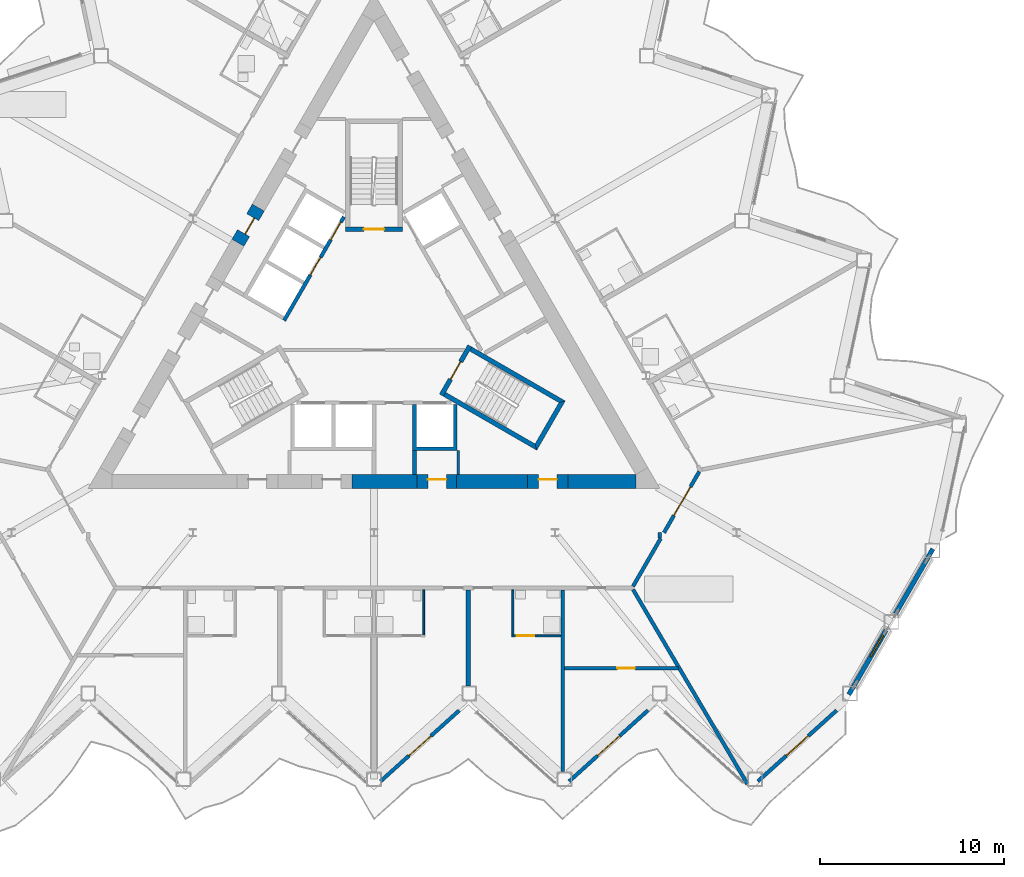
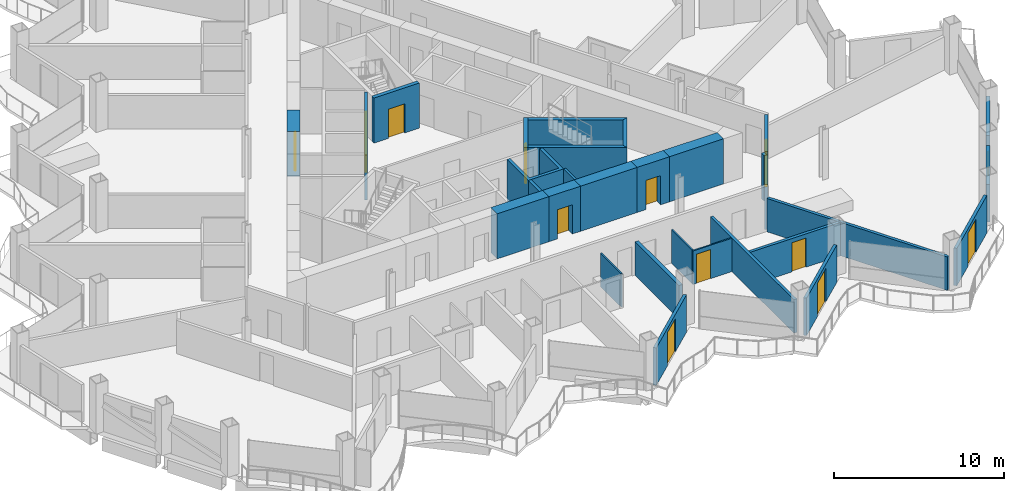
# One storey, part 12 of 23: 30 walls, 13 doors, 1 window, 14 openings.
"""IFC4 building model written with IfcOpenShell, lengths in metres."""

from ifc_helpers import new_model, si_unit, direction, frame, frame_2d, origin, place, context, subcontext, project, spatial, polyline, rectangle, outline, extrude, material, layer, layer_set, type_object, element, fill, save


model = new_model("IFC4")

# Units and contexts
model_context = context("Model", 3, precision=1e-05, world=origin(), true_north=direction((0.0, 1.0)))
body_context = subcontext(model_context, "Body", "Model", "MODEL_VIEW")
ifc_project = project(units=[si_unit("LENGTHUNIT", "METRE"), si_unit("AREAUNIT", "SQUARE_METRE"), si_unit("VOLUMEUNIT", "CUBIC_METRE"), si_unit("PLANEANGLEUNIT", "RADIAN"), si_unit("MASSUNIT", "GRAM", prefix="KILO")], contexts=[model_context])

# Site, building, storey
site_placement = place(None, origin())
site = spatial("IfcSite", under=ifc_project, at=site_placement, CompositionType="ELEMENT")
building_placement = place(site_placement, origin())
building = spatial("IfcBuilding", under=site, at=building_placement, Name="Cormorant Prow Tower", CompositionType="ELEMENT")
storey_placement = place(building_placement, frame((0.0, 0.0, 169.199951171875)))
storey = spatial("IfcBuildingStorey", under=building, at=storey_placement, Name="L35", CompositionType="ELEMENT", Elevation=169.199951171875)

# Walls
ifc_material_1 = material(Name="Gypsum board partition")
ifc_layer_1 = layer(ifc_material_1, 0.14990234375)
ifc_layer_set_1 = layer_set([ifc_layer_1], Name="Gypsum board partition")
wall_type_1 = type_object("IfcWallType", Name="Core partition 150", PredefinedType="PARTITIONING", material=ifc_layer_set_1)
wall_1_placement = place(storey_placement, frame((4.574951171875, -6.906005859375, 0.0), z_axis=(0.0, 0.0, 1.0), x_axis=(0.0, -1.0, 0.0)))
element("IfcWall", 1, at=wall_1_placement, inside=storey, type_object=wall_type_1, Name="Service room partition", PredefinedType="PARTITIONING", context=body_context, shape_type="SweptSolid", body=[
    extrude(rectangle(XDim=1.29296875, YDim=0.14990234375, at=frame_2d((0.646484375, 0.0))), origin(), (0.0, 0.0, 1.0), 3.25),
])
ifc_material_2 = material(Name="Concrete 8000 psi", Category="concrete")
ifc_layer_2 = layer(ifc_material_2, 0.75)
ifc_layer_set_2 = layer_set([ifc_layer_2], Name="Concrete 8000 psi")
wall_type_2 = type_object("IfcWallType", Name="Core shear wall 750", PredefinedType="SHEAR", material=ifc_layer_set_2)
wall_2_placement = place(storey_placement, frame((4.47998046875, -8.573974609375, 0.0), z_axis=(0.0, 0.0, 1.0), x_axis=(1.0, 0.0, 0.0)))
element("IfcWall", 2, at=wall_2_placement, inside=storey, type_object=wall_type_2, Name="Core wall", PredefinedType="SHEAR", context=body_context, shape_type="SweptSolid", body=[
    extrude(rectangle(XDim=3.845458984375, YDim=0.75, at=frame_2d((1.9228515625, 0.0))), origin(), (0.0, 0.0, 1.0), 3.25),
])
wall_3_placement = place(storey_placement, frame((10.525390625, -8.573974609375, 0.0), z_axis=(0.0, 0.0, 1.0), x_axis=(1.0, 0.0, 0.0)))
element("IfcWall", 3, at=wall_3_placement, inside=storey, type_object=wall_type_2, Name="Core wall", PredefinedType="SHEAR", context=body_context, shape_type="SweptSolid", body=[
    extrude(rectangle(XDim=3.675537109375, YDim=0.75, at=frame_2d((1.837890625, 0.0))), origin(), (0.0, 0.0, 1.0), 3.25),
])
wall_4_placement = place(storey_placement, frame((-1.199951171875, -8.573974609375, 0.0), z_axis=(0.0, 0.0, 1.0), x_axis=(1.0, 0.0, 0.0)))
element("IfcWall", 4, at=wall_4_placement, inside=storey, type_object=wall_type_2, Name="Core wall", PredefinedType="SHEAR", context=body_context, shape_type="SweptSolid", body=[
    extrude(rectangle(XDim=3.52001953125, YDim=0.75, at=frame_2d((1.760009765625, 0.0))), origin(), (0.0, 0.0, 1.0), 3.25),
])

# Wall, opening, door
wall_5_placement = place(storey_placement, frame((2.320068359375, -8.573974609375, 0.0), z_axis=(0.0, 0.0, 1.0), x_axis=(1.0, 0.0, 0.0)))
wall_5 = element("IfcWall", 5, at=wall_5_placement, inside=storey, type_object=wall_type_2, Name="Core wall door panel", PredefinedType="SHEAR", context=body_context, shape_type="SweptSolid", body=[
    extrude(rectangle(XDim=2.159912109375, YDim=0.75, at=frame_2d((1.080078125, 0.0))), origin(), (0.0, 0.0, 1.0), 3.25),
])
opening_1_placement = place(wall_5_placement, frame((0.60009765625, 0.0, 0.0)))
opening_1 = element("IfcOpeningElement", 6, at=opening_1_placement, cuts=wall_5, Name="Opening L35-C15", PredefinedType="OPENING", context=body_context, shape_type="SweptSolid", body=[
    extrude(rectangle(XDim=1.0, YDim=2.10009765625, at=frame_2d((0.5, 1.050048828125))), frame((0.0, 0.385009765625, 0.0), z_axis=(0.0, -1.0, 0.0), x_axis=(1.0, 0.0, 0.0)), (0.0, 0.0, 1.0), 0.77001953125),
])
ifc_material_3 = material(Name="Painted steel", Category="steel")
door_type_1 = type_object("IfcDoorType", Name="Service door 1000x2100", OperationType="NOTDEFINED", PredefinedType="DOOR", material=ifc_material_3)
door_1_placement = place(opening_1_placement, origin())
door_1 = element("IfcDoor", 7, at=door_1_placement, inside=storey, type_object=door_type_1, Name="Core door, Telecom room", OperationType="SINGLE_SWING_RIGHT", OverallHeight=2.10009765625, OverallWidth=1.0, PredefinedType="DOOR", context=body_context, shape_type="SweptSolid", body=[
    extrude(rectangle(XDim=1.0, YDim=2.10009765625, at=frame_2d((0.5, 1.050048828125))), frame((0.0, 0.1298828125, 0.0), z_axis=(0.0, -1.0, 0.0), x_axis=(1.0, 0.0, 0.0)), (0.0, 0.0, 1.0), 0.050048828125),
])
fill(opening_1, door_1)

wall_6_placement = place(storey_placement, frame((8.325439453125, -8.573974609375, 0.0), z_axis=(0.0, 0.0, 1.0), x_axis=(1.0, 0.0, 0.0)))
wall_6 = element("IfcWall", 8, at=wall_6_placement, inside=storey, type_object=wall_type_2, Name="Core wall door panel", PredefinedType="SHEAR", context=body_context, shape_type="SweptSolid", body=[
    extrude(rectangle(XDim=2.199951171875, YDim=0.75, at=frame_2d((1.10009765625, 0.0))), origin(), (0.0, 0.0, 1.0), 3.25),
])
opening_2_placement = place(wall_6_placement, frame((0.60009765625, 0.0, 0.0)))
opening_2 = element("IfcOpeningElement", 9, at=opening_2_placement, cuts=wall_6, Name="Opening L35-C17", PredefinedType="OPENING", context=body_context, shape_type="SweptSolid", body=[
    extrude(rectangle(XDim=1.0, YDim=2.10009765625, at=frame_2d((0.5, 1.050048828125))), frame((0.0, 0.385009765625, 0.0), z_axis=(0.0, -1.0, 0.0), x_axis=(1.0, 0.0, 0.0)), (0.0, 0.0, 1.0), 0.77001953125),
])
door_2_placement = place(opening_2_placement, origin())
door_2 = element("IfcDoor", 10, at=door_2_placement, inside=storey, type_object=door_type_1, Name="Core door, Cleaners store", OperationType="SINGLE_SWING_RIGHT", OverallHeight=2.10009765625, OverallWidth=1.0, PredefinedType="DOOR", context=body_context, shape_type="SweptSolid", body=[
    extrude(rectangle(XDim=1.0, YDim=2.10009765625, at=frame_2d((0.5, 1.050048828125))), frame((0.0, 0.1298828125, 0.0), z_axis=(0.0, -1.0, 0.0), x_axis=(1.0, 0.0, 0.0)), (0.0, 0.0, 1.0), 0.050048828125),
])
fill(opening_2, door_2)

wall_7_placement = place(storey_placement, frame((-6.275390625, 6.27880859375, 0.0), z_axis=(0.0, 0.0, 1.0), x_axis=(-0.499946605688, -0.86605622881, 0.0)))
wall_7 = element("IfcWall", 11, at=wall_7_placement, inside=storey, type_object=wall_type_2, Name="Core wall door panel", PredefinedType="SHEAR", context=body_context, shape_type="SweptSolid", body=[
    extrude(rectangle(XDim=2.199951171875, YDim=0.75, at=frame_2d((1.10009765625, 0.0))), origin(), (0.0, 0.0, 1.0), 3.25),
])
opening_3_placement = place(wall_7_placement, frame((0.60009765625, 0.0, 0.0)))
opening_3 = element("IfcOpeningElement", 12, at=opening_3_placement, cuts=wall_7, Name="Opening L35-C18", PredefinedType="OPENING", context=body_context, shape_type="SweptSolid", body=[
    extrude(rectangle(XDim=1.0, YDim=2.10009765625, at=frame_2d((0.5, 1.050048828125))), frame((0.0, 0.385009765625, 0.0), z_axis=(0.0, -1.0, 0.0), x_axis=(1.0, 0.0, 0.0)), (0.0, 0.0, 1.0), 0.77001953125),
])
door_3_placement = place(opening_3_placement, origin())
door_3 = element("IfcDoor", 13, at=door_3_placement, inside=storey, type_object=door_type_1, Name="Core door, Electrical room", OperationType="SINGLE_SWING_LEFT", OverallHeight=2.10009765625, OverallWidth=1.0, PredefinedType="DOOR", context=body_context, shape_type="SweptSolid", body=[
    extrude(rectangle(XDim=1.0, YDim=2.10009765625, at=frame_2d((0.5, 1.050048828125))), frame((0.0, 0.1298828125, 0.0), z_axis=(0.0, -1.0, 0.0), x_axis=(1.0, 0.0, 0.0)), (0.0, 0.0, 1.0), 0.050048828125),
])
fill(opening_3, door_3)

ifc_material_4 = material(Name="Gypsum board corridor wall")
ifc_layer_3 = layer(ifc_material_4, 0.199951171875)
ifc_layer_set_3 = layer_set([ifc_layer_3], Name="Gypsum board corridor wall")
wall_type_3 = type_object("IfcWallType", Name="Corridor wall 200", PredefinedType="PARTITIONING", material=ifc_layer_set_3)
wall_8_placement = place(storey_placement, frame((15.73095703125, -11.348876953125, 0.0), z_axis=(0.0, 0.0, 1.0), x_axis=(0.499961815444, 0.866047448526, 0.0)))
wall_8 = element("IfcWall", 14, at=wall_8_placement, inside=storey, type_object=wall_type_3, Name="Corridor wall", PredefinedType="PARTITIONING", context=body_context, shape_type="SweptSolid", body=[
    extrude(rectangle(XDim=3.825927734375, YDim=0.199951171875, at=frame_2d((1.9130859375, 0.0))), origin(), (0.0, 0.0, 1.0), 3.25),
])
opening_4_placement = place(wall_8_placement, frame((1.06396484375, 0.0, 0.0)))
opening_4 = element("IfcOpeningElement", 15, at=opening_4_placement, cuts=wall_8, Name="Opening L35-F13", PredefinedType="OPENING", context=body_context, shape_type="SweptSolid", body=[
    extrude(rectangle(XDim=1.800048828125, YDim=2.10009765625, at=frame_2d((0.89990234375, 1.050048828125))), frame((0.0, 0.10986328125, 0.0), z_axis=(0.0, -1.0, 0.0), x_axis=(1.0, 0.0, 0.0)), (0.0, 0.0, 1.0), 0.219970703125),
])
ifc_material_5 = material(Name="Timber door leaf", Category="wood")
door_type_2 = type_object("IfcDoorType", Name="Double door 1800x2100", OperationType="DOUBLE_DOOR_SINGLE_SWING", PredefinedType="DOOR", material=ifc_material_5)
door_4_placement = place(opening_4_placement, origin())
door_4 = element("IfcDoor", 16, at=door_4_placement, inside=storey, type_object=door_type_2, Name="Co-working space door", OperationType="DOUBLE_DOOR_SINGLE_SWING", OverallHeight=2.10009765625, OverallWidth=1.800048828125, PredefinedType="DOOR", context=body_context, shape_type="SweptSolid", body=[
    extrude(rectangle(XDim=1.800048828125, YDim=2.10009765625, at=frame_2d((0.89990234375, 1.050048828125))), frame((0.0, 0.02490234375, 0.0), z_axis=(0.0, -1.0, 0.0), x_axis=(1.0, 0.0, 0.0)), (0.0, 0.0, 1.0), 0.050048828125),
])
fill(opening_4, door_4)

# Walls
wall_9_placement = place(storey_placement, frame((14.048828125, -14.26220703125, 0.0), z_axis=(0.0, 0.0, 1.0), x_axis=(0.500048608389, 0.865997337899, 0.0)))
element("IfcWall", 17, at=wall_9_placement, inside=storey, type_object=wall_type_3, Name="Corridor wall", PredefinedType="PARTITIONING", context=body_context, shape_type="SweptSolid", body=[
    extrude(rectangle(XDim=3.002197265625, YDim=0.199951171875, at=frame_2d((1.5009765625, 0.0))), origin(), (0.0, 0.0, 1.0), 3.25),
])
wall_10_placement = place(storey_placement, frame((15.5, -11.64892578125, 0.0), z_axis=(0.0, 0.0, 1.0), x_axis=(0.0, 1.0, 0.0)))
element("IfcWall", 18, at=wall_10_placement, inside=storey, type_object=wall_type_3, Name="Corridor wall", PredefinedType="PARTITIONING", context=body_context, shape_type="SweptSolid", body=[
    extrude(rectangle(XDim=0.31005859375, YDim=0.199951171875, at=frame_2d((0.155029296875, 0.0))), origin(), (0.0, 0.0, 1.0), 3.25),
])
ifc_material_6 = material(Name="Gypsum board demising wall")
ifc_layer_4 = layer(ifc_material_6, 0.199951171875)
ifc_layer_set_4 = layer_set([ifc_layer_4], Name="Gypsum board demising wall")
wall_type_4 = type_object("IfcWallType", Name="Demising wall 200", PredefinedType="PARTITIONING", material=ifc_layer_set_4)
wall_11_placement = place(storey_placement, frame((14.049560546875, -14.43505859375, 0.0), z_axis=(0.0, 0.0, 1.0), x_axis=(0.50691019554, -0.861998871031, 0.0)))
element("IfcWall", 19, at=wall_11_placement, inside=storey, type_object=wall_type_4, Name="Demising wall", PredefinedType="PARTITIONING", context=body_context, shape_type="SweptSolid", body=[
    extrude(rectangle(XDim=12.2294921875, YDim=0.199951171875, at=frame_2d((6.11474609375, 0.0))), origin(), (0.0, 0.0, 1.0), 2.404296875),
])
wall_12_placement = place(storey_placement, frame((10.2314453125, -24.3115234375, 0.0), z_axis=(0.0, 0.0, 1.0), x_axis=(0.0, 1.0, 0.0)))
element("IfcWall", 20, at=wall_12_placement, inside=storey, type_object=wall_type_4, Name="Demising wall", PredefinedType="PARTITIONING", context=body_context, shape_type="SweptSolid", body=[
    extrude(rectangle(XDim=9.862548828125, YDim=0.199951171875, at=frame_2d((4.93115234375, 0.0))), origin(), (0.0, 0.0, 1.0), 2.404296875),
])

# Wall, opening, door
wall_13_placement = place(storey_placement, frame((10.331298828125, -18.698974609375, 0.0), z_axis=(0.0, 0.0, 1.0), x_axis=(1.0, 0.0, 0.0)))
wall_13 = element("IfcWall", 21, at=wall_13_placement, inside=storey, type_object=wall_type_4, Name="Demising wall", PredefinedType="PARTITIONING", context=body_context, shape_type="SweptSolid", body=[
    extrude(rectangle(XDim=6.17919921875, YDim=0.199951171875, at=frame_2d((3.089599609375, 0.0))), origin(), (0.0, 0.0, 1.0), 2.404296875),
])
opening_5_placement = place(wall_13_placement, frame((2.865966796875, 0.0, 0.0)))
opening_5 = element("IfcOpeningElement", 22, at=opening_5_placement, cuts=wall_13, Name="Opening L35-F12", PredefinedType="OPENING", context=body_context, shape_type="SweptSolid", body=[
    extrude(rectangle(XDim=0.949951171875, YDim=2.10009765625, at=frame_2d((0.47509765625, 1.050048828125))), frame((0.0, 0.10986328125, 0.0), z_axis=(0.0, -1.0, 0.0), x_axis=(1.0, 0.0, 0.0)), (0.0, 0.0, 1.0), 0.219970703125),
])
ifc_material_7 = material(Name="Timber door leaf", Category="wood")
door_type_3 = type_object("IfcDoorType", Name="Store door 950x2100", OperationType="NOTDEFINED", PredefinedType="DOOR", material=ifc_material_7)
door_5_placement = place(opening_5_placement, origin())
door_5 = element("IfcDoor", 23, at=door_5_placement, inside=storey, type_object=door_type_3, Name="Linen store door", OperationType="SINGLE_SWING_RIGHT", OverallHeight=2.10009765625, OverallWidth=0.949951171875, PredefinedType="DOOR", context=body_context, shape_type="SweptSolid", body=[
    extrude(rectangle(XDim=0.949951171875, YDim=2.10009765625, at=frame_2d((0.47509765625, 1.050048828125))), frame((0.0, 0.02490234375, 0.0), z_axis=(0.0, -1.0, 0.0), x_axis=(1.0, 0.0, 0.0)), (0.0, 0.0, 1.0), 0.050048828125),
])
fill(opening_5, door_5)

ifc_material_8 = material(Name="Gypsum board partition")
ifc_layer_5 = layer(ifc_material_8, 0.10009765625)
ifc_layer_set_5 = layer_set([ifc_layer_5], Name="Gypsum board partition")
wall_type_5 = type_object("IfcWallType", Name="Internal partition 100", PredefinedType="PARTITIONING", material=ifc_layer_set_5)
wall_14_placement = place(storey_placement, frame((7.4814453125, -16.948974609375, 0.0), z_axis=(0.0, 0.0, 1.0), x_axis=(1.0, 0.0, 0.0)))
wall_14 = element("IfcWall", 24, at=wall_14_placement, inside=storey, type_object=wall_type_5, Name="Internal partition", PredefinedType="PARTITIONING", context=body_context, shape_type="SweptSolid", body=[
    extrude(rectangle(XDim=2.64990234375, YDim=0.10009765625, at=frame_2d((1.324951171875, 0.0))), origin(), (0.0, 0.0, 1.0), 2.404296875),
])
opening_6_placement = place(wall_14_placement, frame((0.25, 0.0, 0.0)))
opening_6 = element("IfcOpeningElement", 25, at=opening_6_placement, cuts=wall_14, Name="Opening L35-F10", PredefinedType="OPENING", context=body_context, shape_type="SweptSolid", body=[
    extrude(rectangle(XDim=0.949951171875, YDim=2.10009765625, at=frame_2d((0.47509765625, 1.050048828125))), frame((0.0, 0.06005859375, 0.0), z_axis=(0.0, -1.0, 0.0), x_axis=(1.0, 0.0, 0.0)), (0.0, 0.0, 1.0), 0.1201171875),
])
ifc_material_9 = material(Name="Timber door leaf", Category="wood")
door_type_4 = type_object("IfcDoorType", Name="Bathroom door 950x2100", OperationType="NOTDEFINED", PredefinedType="DOOR", material=ifc_material_9)
door_6_placement = place(opening_6_placement, origin())
door_6 = element("IfcDoor", 26, at=door_6_placement, inside=storey, type_object=door_type_4, Name="Guest room door", OperationType="SINGLE_SWING_LEFT", OverallHeight=2.10009765625, OverallWidth=0.949951171875, PredefinedType="DOOR", context=body_context, shape_type="SweptSolid", body=[
    extrude(rectangle(XDim=0.949951171875, YDim=2.10009765625, at=frame_2d((0.47509765625, 1.050048828125))), frame((0.0, 0.02490234375, 0.0), z_axis=(0.0, -1.0, 0.0), x_axis=(1.0, 0.0, 0.0)), (0.0, 0.0, 1.0), 0.050048828125),
])
fill(opening_6, door_6)

# Walls
for number, where, z_axis, x_axis, name in (
    (27, (2.699951171875, -16.89892578125, 0.0), (0.0, 0.0, 1.0), (0.0, 1.0, 0.0), "Internal partition"),
    (28, (7.531494140625, -16.89892578125, 0.0), (0.0, 0.0, 1.0), (0.0, 1.0, 0.0), "Internal partition"),
):
    element("IfcWall", number, at=place(storey_placement, frame(where, z_axis=z_axis, x_axis=x_axis)), inside=storey, type_object=wall_type_5, Name=name, PredefinedType="PARTITIONING", context=body_context, shape_type="SweptSolid", body=[
        extrude(rectangle(XDim=2.449951171875, YDim=0.10009765625, at=frame_2d((1.22509765625, 0.0))), origin(), (0.0, 0.0, 1.0), 2.404296875),
    ])

# Wall, openings, doors
ifc_material_10 = material(Name="Concrete 5000 psi", Category="concrete")
ifc_layer_6 = layer(ifc_material_10, 0.199951171875)
ifc_layer_set_6 = layer_set([ifc_layer_6], Name="Concrete 5000 psi")
wall_type_6 = type_object("IfcWallType", Name="Lift lobby wall 200", PredefinedType="SOLIDWALL", material=ifc_layer_set_6)
wall_15_placement = place(storey_placement, frame((-1.630615234375, 5.775634765625, 0.0), z_axis=(0.0, 0.0, 1.0), x_axis=(-0.499992876559, -0.866029516466, 0.0)))
wall_15 = element("IfcWall", 29, at=wall_15_placement, inside=storey, type_object=wall_type_6, Name="Lift lobby wall, WNW block", PredefinedType="SOLIDWALL", context=body_context, shape_type="SweptSolid", body=[
    extrude(rectangle(XDim=6.486328125, YDim=0.199951171875, at=frame_2d((3.2431640625, 0.0))), origin(), (0.0, 0.0, 1.0), 3.25),
])
opening_7_placement = place(wall_15_placement, frame((0.336669921875, 0.0, 0.0)))
opening_7 = element("IfcOpeningElement", 30, at=opening_7_placement, cuts=wall_15, Name="Opening L35-C08", PredefinedType="OPENING", context=body_context, shape_type="SweptSolid", body=[
    extrude(rectangle(XDim=1.10009765625, YDim=2.10009765625, at=frame_2d((0.550048828125, 1.050048828125))), frame((0.0, 0.10986328125, 0.0), z_axis=(0.0, -1.0, 0.0), x_axis=(1.0, 0.0, 0.0)), (0.0, 0.0, 1.0), 0.219970703125),
])
opening_8_placement = place(wall_15_placement, frame((2.53662109375, 0.0, 0.0)))
opening_8 = element("IfcOpeningElement", 31, at=opening_8_placement, cuts=wall_15, Name="Opening L35-C09", PredefinedType="OPENING", context=body_context, shape_type="SweptSolid", body=[
    extrude(rectangle(XDim=1.10009765625, YDim=2.10009765625, at=frame_2d((0.550048828125, 1.050048828125))), frame((0.0, 0.10986328125, 0.0), z_axis=(0.0, -1.0, 0.0), x_axis=(1.0, 0.0, 0.0)), (0.0, 0.0, 1.0), 0.219970703125),
])
ifc_material_11 = material(Name="Painted steel", Category="steel")
door_type_5 = type_object("IfcDoorType", Name="Lift landing door 1100x2100", OperationType="SLIDING_TO_LEFT", PredefinedType="DOOR", material=ifc_material_11)
door_7_placement = place(opening_7_placement, origin())
door_7 = element("IfcDoor", 32, at=door_7_placement, inside=storey, type_object=door_type_5, Name="Landing door MR2", OperationType="SLIDING_TO_LEFT", OverallHeight=2.10009765625, OverallWidth=1.10009765625, PredefinedType="DOOR", context=body_context, shape_type="SweptSolid", body=[
    extrude(rectangle(XDim=1.10009765625, YDim=2.10009765625, at=frame_2d((0.550048828125, 1.050048828125))), frame((0.0, 0.02490234375, 0.0), z_axis=(0.0, -1.0, 0.0), x_axis=(1.0, 0.0, 0.0)), (0.0, 0.0, 1.0), 0.050048828125),
])
fill(opening_7, door_7)
door_8_placement = place(opening_8_placement, origin())
door_8 = element("IfcDoor", 33, at=door_8_placement, inside=storey, type_object=door_type_5, Name="Landing door MR3", OperationType="SLIDING_TO_LEFT", OverallHeight=2.10009765625, OverallWidth=1.10009765625, PredefinedType="DOOR", context=body_context, shape_type="SweptSolid", body=[
    extrude(rectangle(XDim=1.10009765625, YDim=2.10009765625, at=frame_2d((0.550048828125, 1.050048828125))), frame((0.0, 0.02490234375, 0.0), z_axis=(0.0, -1.0, 0.0), x_axis=(1.0, 0.0, 0.0)), (0.0, 0.0, 1.0), 0.050048828125),
])
fill(opening_8, door_8)

# Walls
ifc_material_12 = material(Name="Concrete 8000 psi", Category="concrete")
ifc_layer_7 = layer(ifc_material_12, 0.199951171875)
ifc_layer_set_7 = layer_set([ifc_layer_7], Name="Concrete 8000 psi")
wall_type_7 = type_object("IfcWallType", Name="Lift shaft wall 200", PredefinedType="SHEAR", material=ifc_layer_set_7)
wall_16_placement = place(storey_placement, origin())
element("IfcWall", 34, at=wall_16_placement, inside=storey, type_object=wall_type_7, Name="Lift shaft walls, S block", PredefinedType="SHEAR", context=body_context, shape_type="SweptSolid", body=[
    extrude(outline(polyline([(4.5, -4.39990234375), (4.5, -6.906005859375), (2.10009765625, -6.906005859375), (2.10009765625, -4.39990234375), (2.300048828125, -4.39990234375), (2.300048828125, -6.699951171875), (4.300048828125, -6.699951171875), (4.300048828125, -4.39990234375), (4.5, -4.39990234375)])), origin(), (0.0, 0.0, 1.0), 3.25),
])
wall_17_placement = place(storey_placement, frame((2.199951171875, -6.906005859375, 0.0), z_axis=(0.0, 0.0, 1.0), x_axis=(0.0, -1.0, 0.0)))
element("IfcWall", 35, at=wall_17_placement, inside=storey, type_object=wall_type_7, Name="Store side wall", PredefinedType="SHEAR", context=body_context, shape_type="SweptSolid", body=[
    extrude(rectangle(XDim=1.29296875, YDim=0.199951171875, at=frame_2d((0.646484375, 0.0))), origin(), (0.0, 0.0, 1.0), 3.25),
])
ifc_material_13 = material(Name="Concrete 8000 psi", Category="concrete")
ifc_layer_8 = layer(ifc_material_13, 0.25)
ifc_layer_set_8 = layer_set([ifc_layer_8], Name="Concrete 8000 psi")
wall_type_8 = type_object("IfcWallType", Name="Stair wall 250", PredefinedType="SHEAR", material=ifc_layer_set_8)
wall_18_placement = place(storey_placement, origin())
element("IfcWall", 36, at=wall_18_placement, inside=storey, type_object=wall_type_8, Name="Stair ST2 enclosure wall (flank)", PredefinedType="SHEAR", context=body_context, shape_type="SweptSolid", body=[
    extrude(outline(polyline([(3.76318359375, -3.95556640625), (8.82958984375, -6.880615234375), (8.738037109375, -6.5390625), (3.88818359375, -3.739013671875), (3.76318359375, -3.95556640625)])), origin(), (0.0, 0.0, 1.0), 3.25),
])
wall_19_placement = place(storey_placement, origin())
element("IfcWall", 37, at=wall_19_placement, inside=storey, type_object=wall_type_8, Name="Stair ST2 enclosure wall (end)", PredefinedType="SHEAR", context=body_context, shape_type="SweptSolid", body=[
    extrude(outline(polyline([(8.82958984375, -6.880615234375), (10.37353515625, -4.206298828125), (10.031982421875, -4.2978515625), (8.738037109375, -6.5390625), (8.82958984375, -6.880615234375)])), origin(), (0.0, 0.0, 1.0), 3.25),
])
wall_20_placement = place(storey_placement, origin())
element("IfcWall", 38, at=wall_20_placement, inside=storey, type_object=wall_type_8, Name="Stair ST2 enclosure wall (flank)", PredefinedType="SHEAR", context=body_context, shape_type="SweptSolid", body=[
    extrude(outline(polyline([(10.031982421875, -4.2978515625), (10.37353515625, -4.206298828125), (5.30712890625, -1.28125), (5.18212890625, -1.497802734375), (10.031982421875, -4.2978515625)])), origin(), (0.0, 0.0, 1.0), 3.25),
])

# Wall, opening, door
wall_21_placement = place(storey_placement, frame((3.655029296875, -3.89306640625, 0.0), z_axis=(0.0, 0.0, 1.0), x_axis=(0.499982516597, 0.866035497597, 0.0)))
wall_21 = element("IfcWall", 39, at=wall_21_placement, inside=storey, type_object=wall_type_8, Name="Stair ST2 door wall", PredefinedType="SHEAR", context=body_context, shape_type="SweptSolid", body=[
    extrude(rectangle(XDim=3.087890625, YDim=0.25, at=frame_2d((1.5439453125, 0.0))), origin(), (0.0, 0.0, 1.0), 3.25),
])
opening_9_placement = place(wall_21_placement, frame((0.993896484375, 0.0, 0.0)))
opening_9 = element("IfcOpeningElement", 40, at=opening_9_placement, cuts=wall_21, Name="Opening L35-C12", PredefinedType="OPENING", context=body_context, shape_type="SweptSolid", body=[
    extrude(rectangle(XDim=1.10009765625, YDim=2.10009765625, at=frame_2d((0.550048828125, 1.050048828125))), frame((0.0, 0.135009765625, 0.0), z_axis=(0.0, -1.0, 0.0), x_axis=(1.0, 0.0, 0.0)), (0.0, 0.0, 1.0), 0.27001953125),
])
ifc_material_14 = material(Name="Painted steel", Category="steel")
door_type_6 = type_object("IfcDoorType", Name="Stair door 1100x2100", OperationType="NOTDEFINED", PredefinedType="DOOR", material=ifc_material_14)
door_9_placement = place(opening_9_placement, origin())
door_9 = element("IfcDoor", 41, at=door_9_placement, inside=storey, type_object=door_type_6, Name="Stair ST2 door", OperationType="SINGLE_SWING_RIGHT", OverallHeight=2.10009765625, OverallWidth=1.10009765625, PredefinedType="DOOR", context=body_context, shape_type="SweptSolid", body=[
    extrude(rectangle(XDim=1.10009765625, YDim=2.10009765625, at=frame_2d((0.550048828125, 1.050048828125))), frame((0.0, 0.02490234375, 0.0), z_axis=(0.0, -1.0, 0.0), x_axis=(1.0, 0.0, 0.0)), (0.0, 0.0, 1.0), 0.050048828125),
])
fill(opening_9, door_9)

wall_22_placement = place(storey_placement, frame((1.5439453125, 5.11181640625, 0.0), z_axis=(0.0, 0.0, 1.0), x_axis=(-1.0, 0.0, 0.0)))
wall_22 = element("IfcWall", 42, at=wall_22_placement, inside=storey, type_object=wall_type_8, Name="Stair ST3 door wall", PredefinedType="SHEAR", context=body_context, shape_type="SweptSolid", body=[
    extrude(rectangle(XDim=3.087890625, YDim=0.25, at=frame_2d((1.5439453125, 0.0))), origin(), (0.0, 0.0, 1.0), 3.25),
])
opening_10_placement = place(wall_22_placement, frame((0.993896484375, 0.0, 0.0)))
opening_10 = element("IfcOpeningElement", 43, at=opening_10_placement, cuts=wall_22, Name="Opening L35-C13", PredefinedType="OPENING", context=body_context, shape_type="SweptSolid", body=[
    extrude(rectangle(XDim=1.10009765625, YDim=2.10009765625, at=frame_2d((0.550048828125, 1.050048828125))), frame((0.0, 0.135009765625, 0.0), z_axis=(0.0, -1.0, 0.0), x_axis=(1.0, 0.0, 0.0)), (0.0, 0.0, 1.0), 0.27001953125),
])
door_10_placement = place(opening_10_placement, origin())
door_10 = element("IfcDoor", 44, at=door_10_placement, inside=storey, type_object=door_type_6, Name="Stair ST3 door", OperationType="SINGLE_SWING_LEFT", OverallHeight=2.10009765625, OverallWidth=1.10009765625, PredefinedType="DOOR", context=body_context, shape_type="SweptSolid", body=[
    extrude(rectangle(XDim=1.10009765625, YDim=2.10009765625, at=frame_2d((0.550048828125, 1.050048828125))), frame((0.0, 0.02490234375, 0.0), z_axis=(0.0, -1.0, 0.0), x_axis=(1.0, 0.0, 0.0)), (0.0, 0.0, 1.0), 0.050048828125),
])
fill(opening_10, door_10)

# Wall
ifc_material_15 = material(Name="Acoustic gypsum party wall")
ifc_layer_9 = layer(ifc_material_15, 0.25)
ifc_layer_set_9 = layer_set([ifc_layer_9], Name="Acoustic gypsum party wall")
wall_type_9 = type_object("IfcWallType", Name="Suite party wall 250", PredefinedType="PARTITIONING", material=ifc_layer_set_9)
wall_23_placement = place(storey_placement, frame((5.11572265625, -19.661376953125, 0.0), z_axis=(0.0, 0.0, 1.0), x_axis=(0.0, 1.0, 0.0)))
element("IfcWall", 45, at=wall_23_placement, inside=storey, type_object=wall_type_9, Name="Suite party wall", PredefinedType="PARTITIONING", context=body_context, shape_type="SweptSolid", body=[
    extrude(rectangle(XDim=5.21240234375, YDim=0.25, at=frame_2d((2.606201171875, 0.0))), origin(), (0.0, 0.0, 1.0), 2.404296875),
])

# Wall, opening, window
ifc_material_16 = material(Name="Terracotta", Category="masonry")
ifc_layer_10 = layer(ifc_material_16, 0.25)
ifc_layer_set_10 = layer_set([ifc_layer_10], Name="Terracotta")
wall_type_10 = type_object("IfcWallType", Name="Terracotta bay wall 250", PredefinedType="SOLIDWALL", material=ifc_layer_set_10)
wall_24_placement = place(storey_placement, frame((25.754150390625, -20.1298828125, 0.0), z_axis=(0.0, 0.0, 1.0), x_axis=(0.500039726511, 0.866002466458, 0.0)))
wall_24 = element("IfcWall", 46, at=wall_24_placement, inside=storey, type_object=wall_type_10, Name="Terracotta bay wall ESE00", PredefinedType="SOLIDWALL", context=body_context, shape_type="SweptSolid", body=[
    extrude(rectangle(XDim=4.018798828125, YDim=0.25, at=frame_2d((2.00927734375, 0.0))), origin(), (0.0, 0.0, 1.0), 2.700927734375),
])
opening_11_placement = place(wall_24_placement, frame((2.35009765625, 0.0, 1.699951171875)))
opening_11 = element("IfcOpeningElement", 47, at=opening_11_placement, cuts=wall_24, Name="Opening WN3", PredefinedType="OPENING", context=body_context, shape_type="SweptSolid", body=[
    extrude(rectangle(XDim=1.39990234375, YDim=0.800048828125, at=frame_2d((0.699951171875, 0.39990234375))), frame((0.0, 0.135009765625, 0.0), z_axis=(0.0, -1.0, 0.0), x_axis=(1.0, 0.0, 0.0)), (0.0, 0.0, 1.0), 0.27001953125),
])
ifc_material_17 = material(Name="Aluminium 6063-T6", Category="aluminium")
window_type = type_object("IfcWindowType", Name="Corner bay window 1400x800", PartitioningType="SINGLE_PANEL", PredefinedType="WINDOW", material=ifc_material_17)
window_placement = place(opening_11_placement, origin())
window = element("IfcWindow", 48, at=window_placement, inside=storey, type_object=window_type, Name="Corner bay window ESE00", OverallHeight=0.800048828125, OverallWidth=1.39990234375, PartitioningType="SINGLE_PANEL", PredefinedType="WINDOW", context=body_context, shape_type="SweptSolid", body=[
    extrude(rectangle(XDim=1.39990234375, YDim=0.800048828125, at=frame_2d((0.699951171875, 0.39990234375))), frame((0.0, 0.030029296875, 0.0), z_axis=(0.0, -1.0, 0.0), x_axis=(1.0, 0.0, 0.0)), (0.0, 0.0, 1.0), 0.06005859375),
])
fill(opening_11, window)

# Wall
wall_25_placement = place(storey_placement, frame((28.283203125, -15.749755859375, 0.0), z_axis=(0.0, 0.0, 1.0), x_axis=(0.500005680777, 0.866022123962, 0.0)))
element("IfcWall", 49, at=wall_25_placement, inside=storey, type_object=wall_type_10, Name="Terracotta bay wall ESE01", PredefinedType="SOLIDWALL", context=body_context, shape_type="SweptSolid", body=[
    extrude(rectangle(XDim=4.05419921875, YDim=0.25, at=frame_2d((2.027099609375, 0.0))), origin(), (0.0, 0.0, 1.0), 2.700927734375),
])

# Wall, opening, door
ifc_material_18 = material(Name="Terracotta", Category="masonry")
ifc_layer_11 = layer(ifc_material_18, 0.199951171875)
ifc_layer_set_11 = layer_set([ifc_layer_11], Name="Terracotta")
wall_type_11 = type_object("IfcWallType", Name="Terracotta jamb wall 200", PredefinedType="SOLIDWALL", material=ifc_layer_set_11)
wall_26_placement = place(storey_placement, frame((0.355224609375, -24.836181640625, 0.0), z_axis=(0.0, 0.0, 1.0), x_axis=(0.74315473474, 0.669119600844, 0.0)))
wall_26 = element("IfcWall", 50, at=wall_26_placement, inside=storey, type_object=wall_type_11, Name="Terracotta jamb wall S05", PredefinedType="SOLIDWALL", context=body_context, shape_type="SweptSolid", body=[
    extrude(rectangle(XDim=5.747802734375, YDim=0.199951171875, at=frame_2d((2.8740234375, 0.0))), origin(), (0.0, 0.0, 1.0), 2.700927734375),
])
opening_12_placement = place(wall_26_placement, frame((2.073974609375, 0.0, 0.0)))
opening_12 = element("IfcOpeningElement", 51, at=opening_12_placement, cuts=wall_26, Name="Opening ED35.03", PredefinedType="OPENING", context=body_context, shape_type="SweptSolid", body=[
    extrude(rectangle(XDim=1.60009765625, YDim=2.39990234375, at=frame_2d((0.800048828125, 1.199951171875))), frame((0.0, 0.10986328125, 0.0), z_axis=(0.0, -1.0, 0.0), x_axis=(1.0, 0.0, 0.0)), (0.0, 0.0, 1.0), 0.219970703125),
])
ifc_material_19 = material(Name="Aluminium 6063-T6", Category="aluminium")
door_type_7 = type_object("IfcDoorType", Name="Balcony door 1600x2400", OperationType="DOUBLE_DOOR_SINGLE_SWING", PredefinedType="DOOR", material=ifc_material_19)
door_11_placement = place(opening_12_placement, origin())
door_11 = element("IfcDoor", 52, at=door_11_placement, inside=storey, type_object=door_type_7, Name="Balcony door S05 ED35.03", OperationType="DOUBLE_DOOR_SINGLE_SWING", OverallHeight=2.39990234375, OverallWidth=1.60009765625, PredefinedType="DOOR", context=body_context, shape_type="SweptSolid", body=[
    extrude(rectangle(XDim=1.60009765625, YDim=2.39990234375, at=frame_2d((0.800048828125, 1.199951171875))), frame((0.0, 0.02490234375, 0.0), z_axis=(0.0, -1.0, 0.0), x_axis=(1.0, 0.0, 0.0)), (0.0, 0.0, 1.0), 0.050048828125),
])
fill(opening_12, door_11)

wall_27_placement = place(storey_placement, frame((10.586669921875, -24.836181640625, 0.0), z_axis=(0.0, 0.0, 1.0), x_axis=(0.74315473474, 0.669119600844, 0.0)))
wall_27 = element("IfcWall", 53, at=wall_27_placement, inside=storey, type_object=wall_type_11, Name="Terracotta jamb wall S07", PredefinedType="SOLIDWALL", context=body_context, shape_type="SweptSolid", body=[
    extrude(rectangle(XDim=5.747802734375, YDim=0.199951171875, at=frame_2d((2.8740234375, 0.0))), origin(), (0.0, 0.0, 1.0), 2.700927734375),
])
opening_13_placement = place(wall_27_placement, frame((2.073974609375, 0.0, 0.0)))
opening_13 = element("IfcOpeningElement", 54, at=opening_13_placement, cuts=wall_27, Name="Opening ED35.04", PredefinedType="OPENING", context=body_context, shape_type="SweptSolid", body=[
    extrude(rectangle(XDim=1.60009765625, YDim=2.39990234375, at=frame_2d((0.800048828125, 1.199951171875))), frame((0.0, 0.10986328125, 0.0), z_axis=(0.0, -1.0, 0.0), x_axis=(1.0, 0.0, 0.0)), (0.0, 0.0, 1.0), 0.219970703125),
])
door_12_placement = place(opening_13_placement, origin())
door_12 = element("IfcDoor", 55, at=door_12_placement, inside=storey, type_object=door_type_7, Name="Balcony door S07 ED35.04", OperationType="DOUBLE_DOOR_SINGLE_SWING", OverallHeight=2.39990234375, OverallWidth=1.60009765625, PredefinedType="DOOR", context=body_context, shape_type="SweptSolid", body=[
    extrude(rectangle(XDim=1.60009765625, YDim=2.39990234375, at=frame_2d((0.800048828125, 1.199951171875))), frame((0.0, 0.02490234375, 0.0), z_axis=(0.0, -1.0, 0.0), x_axis=(1.0, 0.0, 0.0)), (0.0, 0.0, 1.0), 0.050048828125),
])
fill(opening_13, door_12)

wall_28_placement = place(storey_placement, frame((20.818115234375, -24.836181640625, 0.0), z_axis=(0.0, 0.0, 1.0), x_axis=(0.74315473474, 0.669119600844, 0.0)))
wall_28 = element("IfcWall", 56, at=wall_28_placement, inside=storey, type_object=wall_type_11, Name="Terracotta jamb wall S09", PredefinedType="SOLIDWALL", context=body_context, shape_type="SweptSolid", body=[
    extrude(rectangle(XDim=5.747802734375, YDim=0.199951171875, at=frame_2d((2.8740234375, 0.0))), origin(), (0.0, 0.0, 1.0), 2.700927734375),
])
opening_14_placement = place(wall_28_placement, frame((2.073974609375, 0.0, 0.0)))
opening_14 = element("IfcOpeningElement", 57, at=opening_14_placement, cuts=wall_28, Name="Opening ED35.05", PredefinedType="OPENING", context=body_context, shape_type="SweptSolid", body=[
    extrude(rectangle(XDim=1.60009765625, YDim=2.39990234375, at=frame_2d((0.800048828125, 1.199951171875))), frame((0.0, 0.10986328125, 0.0), z_axis=(0.0, -1.0, 0.0), x_axis=(1.0, 0.0, 0.0)), (0.0, 0.0, 1.0), 0.219970703125),
])
door_13_placement = place(opening_14_placement, origin())
door_13 = element("IfcDoor", 58, at=door_13_placement, inside=storey, type_object=door_type_7, Name="Balcony door S09 ED35.05", OperationType="DOUBLE_DOOR_SINGLE_SWING", OverallHeight=2.39990234375, OverallWidth=1.60009765625, PredefinedType="DOOR", context=body_context, shape_type="SweptSolid", body=[
    extrude(rectangle(XDim=1.60009765625, YDim=2.39990234375, at=frame_2d((0.800048828125, 1.199951171875))), frame((0.0, 0.02490234375, 0.0), z_axis=(0.0, -1.0, 0.0), x_axis=(1.0, 0.0, 0.0)), (0.0, 0.0, 1.0), 0.050048828125),
])
fill(opening_14, door_13)

save(model, "model.ifc")
